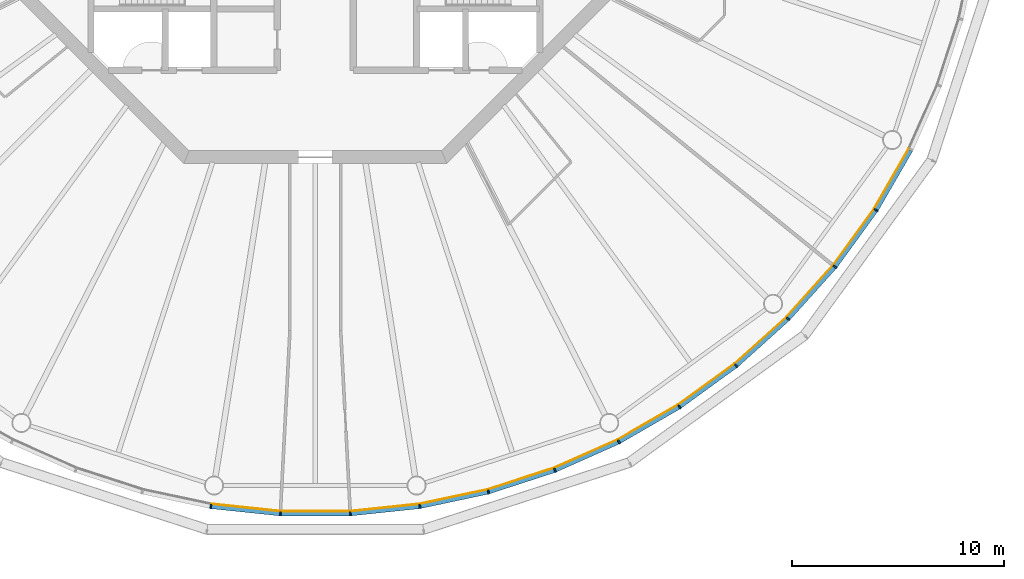
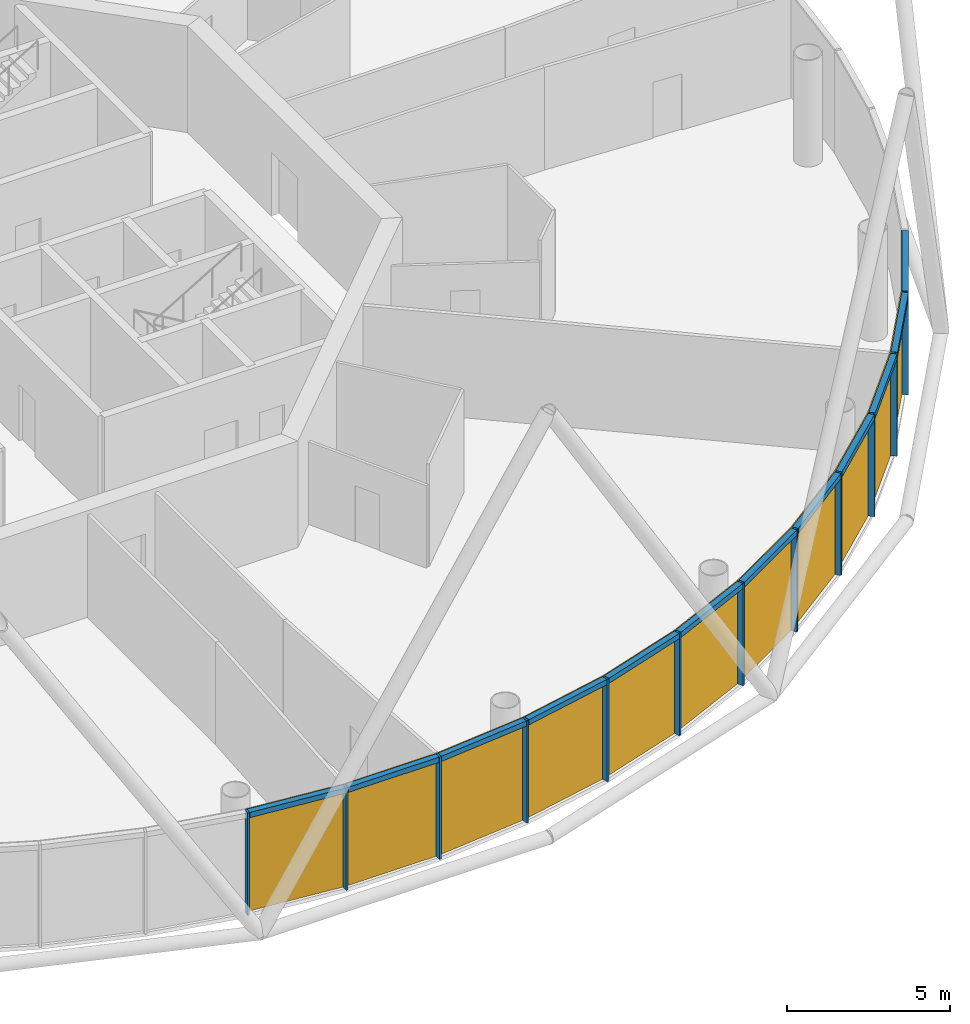
# One storey, part 8 of 13: 24 members, 4 curtain walls.
"""IFC4 building model written with IfcOpenShell, lengths in metres."""

from ifc_helpers import new_model, si_unit, direction, frame, origin, origin_2d, place, context, subcontext, project, spatial, polyline, rectangle, outline, extrude, material, layer, layer_set, material_profile, profile_set, type_object, element, aggregate, save


model = new_model("IFC4")

# Units and contexts
model_context = context("Model", 3, precision=1e-05, world=origin(), true_north=direction((0.0, 1.0)))
body_context = subcontext(model_context, "Body", "Model", "MODEL_VIEW")
ifc_project = project(units=[si_unit("LENGTHUNIT", "METRE"), si_unit("AREAUNIT", "SQUARE_METRE"), si_unit("VOLUMEUNIT", "CUBIC_METRE"), si_unit("PLANEANGLEUNIT", "RADIAN"), si_unit("MASSUNIT", "GRAM", prefix="KILO")], contexts=[model_context])

# Member
ifc_material_1 = material(Name="Anodised aluminium", Category="aluminium")
ifc_material_profile_1 = material_profile(ifc_material_1, rectangle(XDim=0.070068359375, YDim=0.205078125, at=origin_2d()), Name="Mullion 70 x 205 mm anodised aluminium")
ifc_profile_set_1 = profile_set([ifc_material_profile_1], Name="Anodised aluminium")
member_type_1 = type_object("IfcMemberType", Name="Mullion 70 x 205 mm anodised aluminium", PredefinedType="MULLION", material=ifc_profile_set_1)
site_placement = place(None, origin())
building_placement = place(site_placement, origin())
storey_placement = place(building_placement, frame((0.0, 0.0, 356.0)))
member_1_placement = place(storey_placement, frame((85.056396484375, 48.78662109375, 0.0), z_axis=(0.0, 0.0, 1.0), x_axis=(0.987688340595, -0.15643446504, 0.0)))
member_1 = element("IfcMember", 1, at=member_1_placement, type_object=member_type_1, Name="MULLION L82-42", PredefinedType="MULLION", context=body_context, shape_type="SweptSolid", body=[
    extrude(rectangle(XDim=0.070068359375, YDim=0.205078125, at=origin_2d()), origin(), (0.0, 0.0, 1.0), 3.85009765625),
])

member_2_placement = place(storey_placement, frame((88.345947265625, 48.44091796875, 0.0), z_axis=(0.0, 0.0, 1.0), x_axis=(0.998629534755, -0.052335956243, 0.0)))
member_2 = element("IfcMember", 2, at=member_2_placement, type_object=member_type_1, Name="MULLION L82-43", PredefinedType="MULLION", context=body_context, shape_type="SweptSolid", body=[
    extrude(rectangle(XDim=0.070068359375, YDim=0.205078125, at=origin_2d()), origin(), (0.0, 0.0, 1.0), 3.85009765625),
])

member_3_placement = place(storey_placement, frame((91.654052734375, 48.44091796875, 0.0), z_axis=(0.0, 0.0, 1.0), x_axis=(0.998629534755, 0.052335956243, 0.0)))
member_3 = element("IfcMember", 3, at=member_3_placement, type_object=member_type_1, Name="MULLION L82-44", PredefinedType="MULLION", context=body_context, shape_type="SweptSolid", body=[
    extrude(rectangle(XDim=0.070068359375, YDim=0.205078125, at=origin_2d()), origin(), (0.0, 0.0, 1.0), 3.85009765625),
])

member_4_placement = place(storey_placement, frame((94.943603515625, 48.78662109375, 0.0), z_axis=(0.0, 0.0, 1.0), x_axis=(0.987688340595, 0.15643446504, 0.0)))
member_4 = element("IfcMember", 4, at=member_4_placement, type_object=member_type_1, Name="MULLION L82-45", PredefinedType="MULLION", context=body_context, shape_type="SweptSolid", body=[
    extrude(rectangle(XDim=0.070068359375, YDim=0.205078125, at=origin_2d()), origin(), (0.0, 0.0, 1.0), 3.85009765625),
])

member_5_placement = place(storey_placement, frame((98.179443359375, 49.474365234375, 0.0), z_axis=(0.0, 0.0, 1.0), x_axis=(0.965925826289, 0.258819045103, 0.0)))
member_5 = element("IfcMember", 5, at=member_5_placement, type_object=member_type_1, Name="MULLION L82-46", PredefinedType="MULLION", context=body_context, shape_type="SweptSolid", body=[
    extrude(rectangle(XDim=0.070068359375, YDim=0.205078125, at=origin_2d()), origin(), (0.0, 0.0, 1.0), 3.85009765625),
])

member_6_placement = place(storey_placement, frame((101.325439453125, 50.49658203125, 0.0), z_axis=(0.0, 0.0, 1.0), x_axis=(0.933580426497, 0.358367949545, 0.0)))
member_6 = element("IfcMember", 6, at=member_6_placement, type_object=member_type_1, Name="MULLION L82-47", PredefinedType="MULLION", context=body_context, shape_type="SweptSolid", body=[
    extrude(rectangle(XDim=0.070068359375, YDim=0.205078125, at=origin_2d()), origin(), (0.0, 0.0, 1.0), 3.85009765625),
])

member_7_placement = place(storey_placement, frame((104.34716796875, 51.842041015625, 0.0), z_axis=(0.0, 0.0, 1.0), x_axis=(0.891006524188, 0.45399049974, 0.0)))
member_7 = element("IfcMember", 7, at=member_7_placement, type_object=member_type_1, Name="MULLION L82-48", PredefinedType="MULLION", context=body_context, shape_type="SweptSolid", body=[
    extrude(rectangle(XDim=0.070068359375, YDim=0.205078125, at=origin_2d()), origin(), (0.0, 0.0, 1.0), 3.85009765625),
])

member_8_placement = place(storey_placement, frame((107.2119140625, 53.495849609375, 0.0), z_axis=(0.0, 0.0, 1.0), x_axis=(0.838670567945, 0.544639035015, 0.0)))
member_8 = element("IfcMember", 8, at=member_8_placement, type_object=member_type_1, Name="MULLION L82-49", PredefinedType="MULLION", context=body_context, shape_type="SweptSolid", body=[
    extrude(rectangle(XDim=0.070068359375, YDim=0.205078125, at=origin_2d()), origin(), (0.0, 0.0, 1.0), 3.85009765625),
])

member_9_placement = place(storey_placement, frame((109.88818359375, 55.440185546875, 0.0), z_axis=(0.0, 0.0, 1.0), x_axis=(0.777145961457, 0.62932039105, 0.0)))
member_9 = element("IfcMember", 9, at=member_9_placement, type_object=member_type_1, Name="MULLION L82-50", PredefinedType="MULLION", context=body_context, shape_type="SweptSolid", body=[
    extrude(rectangle(XDim=0.070068359375, YDim=0.205078125, at=origin_2d()), origin(), (0.0, 0.0, 1.0), 3.85009765625),
])

member_10_placement = place(storey_placement, frame((112.346435546875, 57.653564453125, 0.0), z_axis=(0.0, 0.0, 1.0), x_axis=(0.707106781187, 0.707106781187, 0.0)))
member_10 = element("IfcMember", 10, at=member_10_placement, type_object=member_type_1, Name="MULLION L82-51", PredefinedType="MULLION", context=body_context, shape_type="SweptSolid", body=[
    extrude(rectangle(XDim=0.070068359375, YDim=0.205078125, at=origin_2d()), origin(), (0.0, 0.0, 1.0), 3.85009765625),
])

member_11_placement = place(storey_placement, frame((114.559814453125, 60.11181640625, 0.0), z_axis=(0.0, 0.0, 1.0), x_axis=(0.62932039105, 0.777145961457, 0.0)))
member_11 = element("IfcMember", 11, at=member_11_placement, type_object=member_type_1, Name="MULLION L82-52", PredefinedType="MULLION", context=body_context, shape_type="SweptSolid", body=[
    extrude(rectangle(XDim=0.070068359375, YDim=0.205078125, at=origin_2d()), origin(), (0.0, 0.0, 1.0), 3.85009765625),
])

member_12_placement = place(storey_placement, frame((116.504150390625, 62.7880859375, 0.0), z_axis=(0.0, 0.0, 1.0), x_axis=(0.544639035015, 0.838670567945, 0.0)))
member_12 = element("IfcMember", 12, at=member_12_placement, type_object=member_type_1, Name="MULLION L82-53", PredefinedType="MULLION", context=body_context, shape_type="SweptSolid", body=[
    extrude(rectangle(XDim=0.070068359375, YDim=0.205078125, at=origin_2d()), origin(), (0.0, 0.0, 1.0), 3.85009765625),
])

ifc_material_2 = material(Name="Anodised aluminium", Category="aluminium")
ifc_material_profile_2 = material_profile(ifc_material_2, rectangle(XDim=0.205078125, YDim=0.195068359375, at=origin_2d()), Name="Transom 195 x 205 mm anodised aluminium")
ifc_profile_set_2 = profile_set([ifc_material_profile_2], Name="Anodised aluminium")
member_type_2 = type_object("IfcMemberType", Name="Transom 195 x 205 mm anodised aluminium", PredefinedType="USERDEFINED", material=ifc_profile_set_2)
member_13_placement = place(storey_placement, frame((85.096435546875, 48.7822265625, 3.75244140625), z_axis=(0.994519537956, -0.104550890115, 0.0), x_axis=(0.104550890115, 0.994519537956, 0.0)))
member_13 = element("IfcMember", 13, at=member_13_placement, type_object=member_type_2, Name="TRANSOM L82-42", ObjectType="TRANSOM", PredefinedType="USERDEFINED", context=body_context, shape_type="SweptSolid", body=[
    extrude(rectangle(XDim=0.205078125, YDim=0.195068359375, at=origin_2d()), origin(), (0.0, 0.0, 1.0), 3.22705078125),
])

member_14_placement = place(storey_placement, frame((88.386474609375, 48.440673828125, 3.75244140625), z_axis=(1.0, 0.0, 0.0), x_axis=(0.0, 1.0, 0.0)))
member_14 = element("IfcMember", 14, at=member_14_placement, type_object=member_type_2, Name="TRANSOM L82-43", ObjectType="TRANSOM", PredefinedType="USERDEFINED", context=body_context, shape_type="SweptSolid", body=[
    extrude(rectangle(XDim=0.205078125, YDim=0.195068359375, at=origin_2d()), origin(), (0.0, 0.0, 1.0), 3.22705078125),
])

member_15_placement = place(storey_placement, frame((91.694091796875, 48.44482421875, 3.75244140625), z_axis=(0.994519537956, 0.104550890115, 0.0), x_axis=(-0.104550890115, 0.994519537956, 0.0)))
member_15 = element("IfcMember", 15, at=member_15_placement, type_object=member_type_2, Name="TRANSOM L82-44", ObjectType="TRANSOM", PredefinedType="USERDEFINED", context=body_context, shape_type="SweptSolid", body=[
    extrude(rectangle(XDim=0.205078125, YDim=0.195068359375, at=origin_2d()), origin(), (0.0, 0.0, 1.0), 3.22705078125),
])

member_16_placement = place(storey_placement, frame((94.983154296875, 48.794921875, 3.75244140625), z_axis=(0.978153082647, 0.207885898771, 0.0), x_axis=(-0.207885898771, 0.978153082647, 0.0)))
member_16 = element("IfcMember", 16, at=member_16_placement, type_object=member_type_2, Name="TRANSOM L82-45", ObjectType="TRANSOM", PredefinedType="USERDEFINED", context=body_context, shape_type="SweptSolid", body=[
    extrude(rectangle(XDim=0.205078125, YDim=0.195068359375, at=origin_2d()), origin(), (0.0, 0.0, 1.0), 3.227294921875),
])

member_17_placement = place(storey_placement, frame((98.2177734375, 49.486572265625, 3.75244140625), z_axis=(0.951046855117, 0.309046726844, 0.0), x_axis=(-0.309046726844, 0.951046855117, 0.0)))
member_17 = element("IfcMember", 17, at=member_17_placement, type_object=member_type_2, Name="TRANSOM L82-46", ObjectType="TRANSOM", PredefinedType="USERDEFINED", context=body_context, shape_type="SweptSolid", body=[
    extrude(rectangle(XDim=0.205078125, YDim=0.195068359375, at=origin_2d()), origin(), (0.0, 0.0, 1.0), 3.22705078125),
])

member_18_placement = place(storey_placement, frame((101.3623046875, 50.5126953125, 3.75244140625), z_axis=(0.913521178731, 0.406791170024, 0.0), x_axis=(-0.406791170024, 0.913521178731, 0.0)))
member_18 = element("IfcMember", 18, at=member_18_placement, type_object=member_type_2, Name="TRANSOM L82-47", ObjectType="TRANSOM", PredefinedType="USERDEFINED", context=body_context, shape_type="SweptSolid", body=[
    extrude(rectangle(XDim=0.205078125, YDim=0.195068359375, at=origin_2d()), origin(), (0.0, 0.0, 1.0), 3.22705078125),
])

member_19_placement = place(storey_placement, frame((104.38232421875, 51.862060546875, 3.75244140625), z_axis=(0.866023062494, 0.500004055213, 0.0), x_axis=(-0.500004055213, 0.866023062494, 0.0)))
member_19 = element("IfcMember", 19, at=member_19_placement, type_object=member_type_2, Name="TRANSOM L82-48", ObjectType="TRANSOM", PredefinedType="USERDEFINED", context=body_context, shape_type="SweptSolid", body=[
    extrude(rectangle(XDim=0.205078125, YDim=0.195068359375, at=origin_2d()), origin(), (0.0, 0.0, 1.0), 3.22705078125),
])

member_20_placement = place(storey_placement, frame((107.24462890625, 53.51953125, 3.75244140625), z_axis=(0.809004252048, 0.587802790201, 0.0), x_axis=(-0.587802790201, 0.809004252048, 0.0)))
member_20 = element("IfcMember", 20, at=member_20_placement, type_object=member_type_2, Name="TRANSOM L82-49", ObjectType="TRANSOM", PredefinedType="USERDEFINED", context=body_context, shape_type="SweptSolid", body=[
    extrude(rectangle(XDim=0.205078125, YDim=0.195068359375, at=origin_2d()), origin(), (0.0, 0.0, 1.0), 3.227294921875),
])

member_21_placement = place(storey_placement, frame((109.918212890625, 55.467041015625, 3.75244140625), z_axis=(0.743132370743, 0.669144438484, 0.0), x_axis=(-0.669144438484, 0.743132370743, 0.0)))
member_21 = element("IfcMember", 21, at=member_21_placement, type_object=member_type_2, Name="TRANSOM L82-50", ObjectType="TRANSOM", PredefinedType="USERDEFINED", context=body_context, shape_type="SweptSolid", body=[
    extrude(rectangle(XDim=0.205078125, YDim=0.195068359375, at=origin_2d()), origin(), (0.0, 0.0, 1.0), 3.22705078125),
])

member_22_placement = place(storey_placement, frame((112.37353515625, 57.68359375, 3.75244140625), z_axis=(0.669144438484, 0.743132370743, 0.0), x_axis=(-0.743132370743, 0.669144438484, 0.0)))
member_22 = element("IfcMember", 22, at=member_22_placement, type_object=member_type_2, Name="TRANSOM L82-51", ObjectType="TRANSOM", PredefinedType="USERDEFINED", context=body_context, shape_type="SweptSolid", body=[
    extrude(rectangle(XDim=0.205078125, YDim=0.195068359375, at=origin_2d()), origin(), (0.0, 0.0, 1.0), 3.22705078125),
])

member_23_placement = place(storey_placement, frame((114.58349609375, 60.14453125, 3.75244140625), z_axis=(0.587802790201, 0.809004252048, 0.0), x_axis=(-0.809004252048, 0.587802790201, 0.0)))
member_23 = element("IfcMember", 23, at=member_23_placement, type_object=member_type_2, Name="TRANSOM L82-52", ObjectType="TRANSOM", PredefinedType="USERDEFINED", context=body_context, shape_type="SweptSolid", body=[
    extrude(rectangle(XDim=0.205078125, YDim=0.195068359375, at=origin_2d()), origin(), (0.0, 0.0, 1.0), 3.227294921875),
])

member_24_placement = place(storey_placement, frame((116.5244140625, 62.822998046875, 3.75244140625), z_axis=(0.500004055213, 0.866023062494, 0.0), x_axis=(-0.866023062494, 0.500004055213, 0.0)))
member_24 = element("IfcMember", 24, at=member_24_placement, type_object=member_type_2, Name="TRANSOM L82-53", ObjectType="TRANSOM", PredefinedType="USERDEFINED", context=body_context, shape_type="SweptSolid", body=[
    extrude(rectangle(XDim=0.205078125, YDim=0.195068359375, at=origin_2d()), origin(), (0.0, 0.0, 1.0), 3.22705078125),
])

# Site, building, storey
site = spatial("IfcSite", under=ifc_project, at=site_placement, CompositionType="ELEMENT")
building = spatial("IfcBuilding", under=site, at=building_placement, Name="Entoto Ring Tower", CompositionType="ELEMENT")
storey = spatial("IfcBuildingStorey", under=building, at=storey_placement, Name="L82", CompositionType="ELEMENT", Elevation=356.0)

# Curtain wall
ifc_material_3 = material(Name="Clear low-iron glass", Category="glass")
ifc_layer = layer(ifc_material_3, 0.035888671875)
ifc_layer_set = layer_set([ifc_layer], Name="Clear low-iron glass")
curtain_wall_type = type_object("IfcCurtainWallType", Name="Curtain wall system CW6 glazing 36 mm", PredefinedType="NOTDEFINED", material=ifc_layer_set)
curtain_wall_1_placement = place(storey_placement, origin())
curtain_wall_1 = element("IfcCurtainWall", 25, at=curtain_wall_1_placement, inside=storey, type_object=curtain_wall_type, Name="CW6 L82-15", PredefinedType="NOTDEFINED", context=body_context, shape_type="SweptSolid", body=[
    extrude(outline(polyline([(85.072265625, 48.8876953125), (88.351318359375, 48.543212890625), (91.648681640625, 48.543212890625), (94.927734375, 48.8876953125), (94.922119140625, 48.92333984375), (91.646728515625, 48.5791015625), (88.353271484375, 48.5791015625), (85.077880859375, 48.92333984375), (85.072265625, 48.8876953125)])), origin(), (0.0, 0.0, 1.0), 3.85009765625),
])

aggregate(curtain_wall_1, [member_1, member_2, member_3, member_13, member_14, member_15])

curtain_wall_2_placement = place(storey_placement, origin())
curtain_wall_2 = element("IfcCurtainWall", 26, at=curtain_wall_2_placement, inside=storey, type_object=curtain_wall_type, Name="CW6 L82-16", PredefinedType="NOTDEFINED", context=body_context, shape_type="SweptSolid", body=[
    extrude(outline(polyline([(94.927734375, 48.8876953125), (98.15283203125, 49.5732421875), (101.28857421875, 50.59228515625), (104.30078125, 51.933349609375), (104.284423828125, 51.96533203125), (101.275634765625, 50.6259765625), (98.1435546875, 49.608154296875), (94.922119140625, 48.92333984375), (94.927734375, 48.8876953125)])), origin(), (0.0, 0.0, 1.0), 3.85009765625),
])

aggregate(curtain_wall_2, [member_4, member_5, member_6, member_16, member_17, member_18])

curtain_wall_3_placement = place(storey_placement, origin())
curtain_wall_3 = element("IfcCurtainWall", 27, at=curtain_wall_3_placement, inside=storey, type_object=curtain_wall_type, Name="CW6 L82-17", PredefinedType="NOTDEFINED", context=body_context, shape_type="SweptSolid", body=[
    extrude(outline(polyline([(104.30078125, 51.933349609375), (107.15625, 53.581787109375), (109.823486328125, 55.52001953125), (112.27392578125, 57.72607421875), (112.248291015625, 57.751708984375), (109.801025390625, 55.5478515625), (107.136474609375, 53.612060546875), (104.284423828125, 51.96533203125), (104.30078125, 51.933349609375)])), origin(), (0.0, 0.0, 1.0), 3.85009765625),
])

aggregate(curtain_wall_3, [member_7, member_8, member_9, member_19, member_20, member_21])

curtain_wall_4_placement = place(storey_placement, origin())
curtain_wall_4 = element("IfcCurtainWall", 28, at=curtain_wall_4_placement, inside=storey, type_object=curtain_wall_type, Name="CW6 L82-18", PredefinedType="NOTDEFINED", context=body_context, shape_type="SweptSolid", body=[
    extrude(outline(polyline([(112.27392578125, 57.72607421875), (114.47998046875, 60.176513671875), (116.418212890625, 62.84375), (118.066650390625, 65.69921875), (118.03466796875, 65.715576171875), (116.387939453125, 62.863525390625), (114.4521484375, 60.198974609375), (112.248291015625, 57.751708984375), (112.27392578125, 57.72607421875)])), origin(), (0.0, 0.0, 1.0), 3.85009765625),
])

aggregate(curtain_wall_4, [member_10, member_11, member_12, member_22, member_23, member_24])

save(model, "model.ifc")
